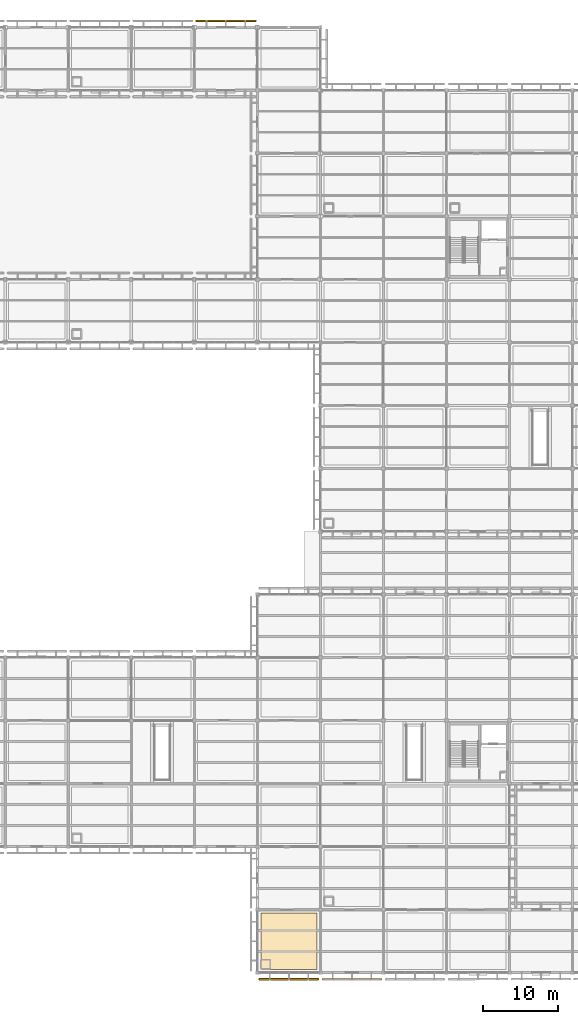
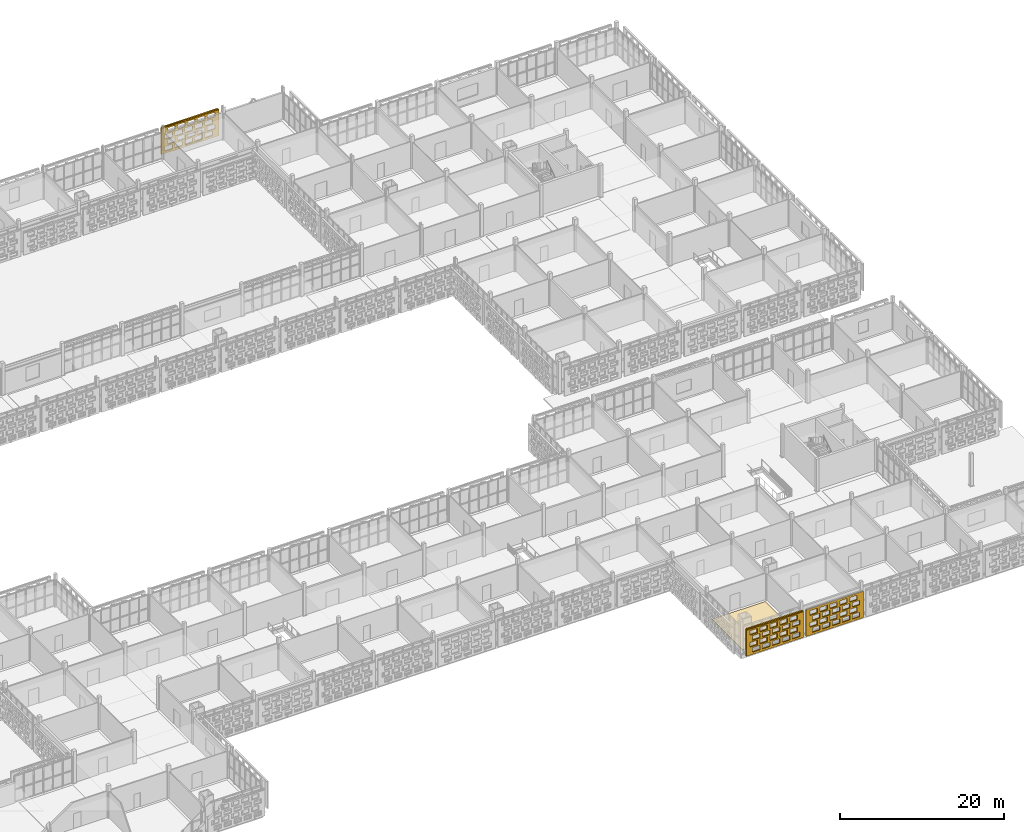
# One storey, part 182 of 203: 4 coverings, 2 shading devices, 60 openings.
"""IFC4 building model written with IfcOpenShell, lengths in metres."""

import ifcopenshell
import ifcopenshell.guid

model = None  # the IFC model being written
_history = None  # IfcOwnerHistory: only IFC2X3 demands one
_inside = {}  # id of a spatial element -> (the spatial element, [elements in it])
_under = {}  # id of a project, library or spatial element -> (it, [spatial elements below it])
_declared = {}  # id of a project -> (the project, [libraries it declares])
_typed = {}  # id of a type object -> (the type object, [elements of that type])
_made_of = {}  # id of a material, layer set ... -> (it, [elements and type objects made of it])


def new_model(schema):
    """Start an empty IFC model of exactly this schema.

    Asked for "IFC4X3", IfcOpenShell would pick the latest addendum, in which some entities
    have other attributes; the version numbers below select the first issue.
    IFC2X3 requires an IfcOwnerHistory on every rooted entity: one is made here for all.
    """
    global model, _history
    if schema == "IFC4X3":
        model = ifcopenshell.file(schema_version=(4, 3, 0, 0))
    else:
        model = ifcopenshell.file(schema=schema)
    _inside.clear()
    _under.clear()
    _declared.clear()
    _typed.clear()
    _made_of.clear()
    _history = None
    if model.schema == "IFC2X3":
        org = make("IfcOrganization", Name="unknown")
        user = make(
            "IfcPersonAndOrganization",
            ThePerson=make("IfcPerson", FamilyName="unknown"),
            TheOrganization=org,
        )
        app = make(
            "IfcApplication",
            ApplicationDeveloper=org,
            Version="unknown",
            ApplicationFullName="unknown",
            ApplicationIdentifier="unknown",
        )
        _history = make(
            "IfcOwnerHistory",
            OwningUser=user,
            OwningApplication=app,
            ChangeAction="ADDED",
            CreationDate=0,
        )
    return model


def make(cls, **values):
    """One entity of the class cls with the attributes given. An attribute that is None is left unset."""
    return model.create_entity(
        cls, **{name: value for name, value in values.items() if value is not None}
    )


def rooted(cls, **values):
    """An entity with a GlobalId (a new one), such as an element, a storey or a relation."""
    return make(cls, GlobalId=ifcopenshell.guid.new(), OwnerHistory=_history, **values)


def si_unit(unit_type, name, prefix=None):
    """IfcSIUnit, for example si_unit("LENGTHUNIT", "METRE", prefix="MILLI")."""
    return make("IfcSIUnit", UnitType=unit_type, Prefix=prefix, Name=name)


def assignment(units):
    """IfcUnitAssignment: the units of a project."""
    return None if units is None else make("IfcUnitAssignment", Units=units)


def point(xyz):
    """IfcCartesianPoint."""
    return None if xyz is None else make("IfcCartesianPoint", Coordinates=xyz)


def direction(xyz):
    """IfcDirection."""
    return None if xyz is None else make("IfcDirection", DirectionRatios=xyz)


def frame(location, z_axis=None, x_axis=None):
    """IfcAxis2Placement3D, a coordinate frame: its origin and axes. An axis left out is left unset."""
    return make(
        "IfcAxis2Placement3D",
        Location=point(location),
        Axis=direction(z_axis),
        RefDirection=direction(x_axis),
    )


def frame_2d(location, x_axis=None):
    """IfcAxis2Placement2D, a coordinate frame in the plane: its origin and x axis."""
    return make(
        "IfcAxis2Placement2D", Location=point(location), RefDirection=direction(x_axis)
    )


def origin():
    """The frame at (0, 0, 0) with its axes left unset."""
    return frame((0.0, 0.0, 0.0))


def origin_2d():
    """The frame at (0, 0) in the plane with its x axis left unset."""
    return frame_2d((0.0, 0.0))


def place(relative_to, where):
    """IfcLocalPlacement: puts the frame where relative to a parent placement (None: the world)."""
    return make(
        "IfcLocalPlacement", PlacementRelTo=relative_to, RelativePlacement=where
    )


def context(
    kind, dimensions, precision=None, world=None, true_north=None, identifier=None
):
    """IfcGeometricRepresentationContext, for example the 3D "Model" context."""
    return make(
        "IfcGeometricRepresentationContext",
        ContextIdentifier=identifier,
        ContextType=kind,
        CoordinateSpaceDimension=dimensions,
        Precision=precision,
        WorldCoordinateSystem=world,
        TrueNorth=true_north,
    )


def subcontext(parent, identifier, kind, view, scale=None):
    """IfcGeometricRepresentationSubContext, for example "Body" below "Model"."""
    return make(
        "IfcGeometricRepresentationSubContext",
        ContextIdentifier=identifier,
        ContextType=kind,
        ParentContext=parent,
        TargetScale=scale,
        TargetView=view,
    )


def project(units=None, contexts=None):
    """IfcProject with its units and contexts."""
    return rooted(
        "IfcProject",
        Name="project",
        RepresentationContexts=contexts,
        UnitsInContext=assignment(units),
    )


def spatial(cls, under=None, at=None, **own):
    """A site, building, storey or space (cls), placed at a placement, below another one or the project."""
    s = rooted(cls, ObjectPlacement=at, **own)
    if under is not None:
        _under.setdefault(under.id(), (under, []))[1].append(s)
    return s


def profile(cls, at=None, kind="AREA", **sizes):
    """A parametric profile (cls). Its sizes go by their IFC names, for example OverallWidth=200.0."""
    return make(cls, ProfileType=kind, Position=at, **sizes)


def rectangle(**sizes):
    """IfcRectangleProfileDef."""
    return profile("IfcRectangleProfileDef", **sizes)


def extrude(swept, where, along, depth):
    """IfcExtrudedAreaSolid: the profile swept, set in the frame where, extruded along a direction by depth."""
    return make(
        "IfcExtrudedAreaSolid",
        SweptArea=swept,
        Position=where,
        ExtrudedDirection=direction(along),
        Depth=depth,
    )


def shape(context_of_items, identifier, shape_type, items):
    """IfcShapeRepresentation: the items that make up one representation, for example the "Body"."""
    return make(
        "IfcShapeRepresentation",
        ContextOfItems=context_of_items,
        RepresentationIdentifier=identifier,
        RepresentationType=shape_type,
        Items=items,
    )


def material(Name=None, Category=None):
    """IfcMaterial."""
    return make("IfcMaterial", Name=Name, Category=Category)


def layer(
    of_material, thickness, ventilated=None, Name=None, Category=None, Priority=None
):
    """IfcMaterialLayer: one layer of a wall or slab, of a material (None: an air gap)."""
    return make(
        "IfcMaterialLayer",
        Material=of_material,
        LayerThickness=thickness,
        IsVentilated=ventilated,
        Name=Name,
        Category=Category,
        Priority=Priority,
    )


def layer_set(layers, Name=None):
    """IfcMaterialLayerSet."""
    return make("IfcMaterialLayerSet", MaterialLayers=layers, LayerSetName=Name)


def made_of(thing, what):
    """Note that an element or type object is made of a material, layer set ...; save() writes the relation."""
    if what is not None:
        _made_of.setdefault(what.id(), (what, []))[1].append(thing)
    return thing


def type_object(cls, material=None, **own):
    """A type object (cls), such as IfcWallType, which elements share."""
    return made_of(rooted(cls, **own), material)


def element(
    cls,
    number,
    at=None,
    inside=None,
    cuts=None,
    type_object=None,
    material=None,
    context=None,
    identifier="Body",
    shape_type=None,
    held_by="IfcProductDefinitionShape",
    body=None,
    shapes=None,
    **own,
):
    """One element of the class cls, such as IfcWall. Its Tag is "e" and its number.

    at: its placement. inside: the storey or other place that contains it. cuts: it is an
    opening in that element (IfcRelVoidsElement). A single representation is given by context,
    identifier, shape_type and body (its items); several are given by shapes. held_by: the class
    of the entity that holds the representations. save() writes the other relations.
    """
    e = rooted(cls, Tag="e%d" % number, ObjectPlacement=at, **own)
    if body is not None:
        shapes = [shape(context, identifier, shape_type, body)]
    if shapes is not None:
        e.Representation = make(held_by, Representations=shapes)
    if inside is not None:
        _inside.setdefault(inside.id(), (inside, []))[1].append(e)
    if cuts is not None:
        rooted(
            "IfcRelVoidsElement", RelatingBuildingElement=cuts, RelatedOpeningElement=e
        )
    if type_object is not None:
        _typed.setdefault(type_object.id(), (type_object, []))[1].append(e)
    return made_of(e, material)


def aggregate(whole, parts):
    """IfcRelAggregates: a whole, such as a stair, and the parts it consists of."""
    return rooted("IfcRelAggregates", RelatingObject=whole, RelatedObjects=parts)


def save(model, path):
    """Write the relations noted so far, then the file.

    IfcRelAggregates (storeys below a building ...), IfcRelContainedInSpatialStructure (elements
    in a storey), IfcRelDefinesByType, IfcRelAssociatesMaterial and IfcRelDeclares: one each for
    every whole, place, type object, material and project.
    """
    for whole, parts in _under.values():
        aggregate(whole, parts)
    for where, things in _inside.values():
        rooted(
            "IfcRelContainedInSpatialStructure",
            RelatedElements=things,
            RelatingStructure=where,
        )
    for kind, things in _typed.values():
        rooted("IfcRelDefinesByType", RelatedObjects=things, RelatingType=kind)
    for what, things in _made_of.values():
        rooted("IfcRelAssociatesMaterial", RelatedObjects=things, RelatingMaterial=what)
    for by, libraries in _declared.values():
        rooted("IfcRelDeclares", RelatingContext=by, RelatedDefinitions=libraries)
    model.write(path)


model = new_model("IFC4")

# Units and contexts
model_context = context("Model", 3, precision=1e-05, world=origin(), true_north=direction((0.0, 1.0)))
body_context = subcontext(model_context, "Body", "Model", "MODEL_VIEW")
ifc_project = project(units=[si_unit("LENGTHUNIT", "METRE"), si_unit("AREAUNIT", "SQUARE_METRE"), si_unit("VOLUMEUNIT", "CUBIC_METRE"), si_unit("PLANEANGLEUNIT", "RADIAN"), si_unit("MASSUNIT", "GRAM", prefix="KILO")], contexts=[model_context])

# Site, building, storey
site_placement = place(None, origin())
site = spatial("IfcSite", under=ifc_project, at=site_placement, CompositionType="ELEMENT")
building_placement = place(site_placement, origin())
building = spatial("IfcBuilding", under=site, at=building_placement, Name="Varnapada Polytechnic", CompositionType="ELEMENT")
storey_placement = place(building_placement, frame((0.0, 0.0, 4.800048828125)))
storey = spatial("IfcBuildingStorey", under=building, at=storey_placement, Name="L01", CompositionType="ELEMENT", Elevation=4.800048828125)

# Covering
ifc_material_1 = material(Name="Acoustic Rubber Seminar Flooring")
ifc_layer_1 = layer(ifc_material_1, 0.0400390625)
ifc_layer_set_1 = layer_set([ifc_layer_1], Name="Acoustic Rubber Seminar Flooring")
covering_type_1 = type_object("IfcCoveringType", Name="Floor Finish FLR-06", PredefinedType="FLOORING", material=ifc_layer_set_1)
covering_1_placement = place(storey_placement, frame((130.199951171875, 4.199951171875, 0.0), z_axis=(0.0, 0.0, 1.0), x_axis=(1.0, 0.0, 0.0)))
element("IfcCovering", 1, at=covering_1_placement, inside=storey, type_object=covering_type_1, Name="L01 floor finish panel (16,1)", PredefinedType="FLOORING", context=body_context, shape_type="SweptSolid", body=[
    extrude(rectangle(XDim=7.5, YDim=7.5, at=origin_2d()), origin(), (0.0, 0.0, 1.0), 0.0400390625),
])

# Covering, openings
ifc_material_2 = material(Name="Earth-toned architectural terracotta screen block", Category="masonry")
ifc_layer_2 = layer(ifc_material_2, 0.1201171875)
ifc_layer_set_2 = layer_set([ifc_layer_2], Name="Earth-toned architectural terracotta screen block")
covering_type_2 = type_object("IfcCoveringType", Name="Terracotta Screen Cladding CLD-01", PredefinedType="CLADDING", material=ifc_layer_set_2)
covering_2_placement = place(storey_placement, frame((117.75, 126.85009765625, 0.0), z_axis=(0.0, 0.0, 1.0), x_axis=(1.0, 0.0, 0.0)))
covering_2 = element("IfcCovering", 2, at=covering_2_placement, inside=storey, type_object=covering_type_2, Name="L01 perforated terracotta block screen (101)", PredefinedType="CLADDING", context=body_context, shape_type="SweptSolid", body=[
    extrude(rectangle(XDim=8.10009765625, YDim=0.179931640625, at=frame_2d((4.050048828125, 0.0))), origin(), (0.0, 0.0, 1.0), 3.919921875),
])
opening_1_placement = place(covering_2_placement, frame((0.550048828125, 0.0, 0.313720703125)))
element("IfcOpeningElement", 3, at=opening_1_placement, cuts=covering_2, Name="Screen perforation TBS-L01-100.1", PredefinedType="OPENING", context=body_context, shape_type="SweptSolid", body=[
    extrude(rectangle(XDim=1.0400390625, YDim=0.679931640625, at=frame_2d((0.52001953125, 0.33984375))), frame((0.0, 0.099853515625, 0.0), z_axis=(0.0, -1.0, 0.0), x_axis=(1.0, 0.0, 0.0)), (0.0, 0.0, 1.0), 0.199951171875),
])
opening_2_placement = place(covering_2_placement, frame((1.949951171875, 0.0, 0.313720703125)))
element("IfcOpeningElement", 4, at=opening_2_placement, cuts=covering_2, Name="Screen perforation TBS-L01-100.2", PredefinedType="OPENING", context=body_context, shape_type="SweptSolid", body=[
    extrude(rectangle(XDim=1.0400390625, YDim=0.679931640625, at=frame_2d((0.52001953125, 0.33984375))), frame((0.0, 0.099853515625, 0.0), z_axis=(0.0, -1.0, 0.0), x_axis=(1.0, 0.0, 0.0)), (0.0, 0.0, 1.0), 0.199951171875),
])
opening_3_placement = place(covering_2_placement, frame((3.35009765625, 0.0, 0.313720703125)))
element("IfcOpeningElement", 5, at=opening_3_placement, cuts=covering_2, Name="Screen perforation TBS-L01-100.3", PredefinedType="OPENING", context=body_context, shape_type="SweptSolid", body=[
    extrude(rectangle(XDim=1.0400390625, YDim=0.679931640625, at=frame_2d((0.52001953125, 0.33984375))), frame((0.0, 0.099853515625, 0.0), z_axis=(0.0, -1.0, 0.0), x_axis=(1.0, 0.0, 0.0)), (0.0, 0.0, 1.0), 0.199951171875),
])
opening_4_placement = place(covering_2_placement, frame((4.75, 0.0, 0.313720703125)))
element("IfcOpeningElement", 6, at=opening_4_placement, cuts=covering_2, Name="Screen perforation TBS-L01-100.4", PredefinedType="OPENING", context=body_context, shape_type="SweptSolid", body=[
    extrude(rectangle(XDim=1.0400390625, YDim=0.679931640625, at=frame_2d((0.52001953125, 0.33984375))), frame((0.0, 0.099853515625, 0.0), z_axis=(0.0, -1.0, 0.0), x_axis=(1.0, 0.0, 0.0)), (0.0, 0.0, 1.0), 0.199951171875),
])
opening_5_placement = place(covering_2_placement, frame((6.14990234375, 0.0, 0.313720703125)))
element("IfcOpeningElement", 7, at=opening_5_placement, cuts=covering_2, Name="Screen perforation TBS-L01-100.5", PredefinedType="OPENING", context=body_context, shape_type="SweptSolid", body=[
    extrude(rectangle(XDim=1.0400390625, YDim=0.679931640625, at=frame_2d((0.52001953125, 0.33984375))), frame((0.0, 0.099853515625, 0.0), z_axis=(0.0, -1.0, 0.0), x_axis=(1.0, 0.0, 0.0)), (0.0, 0.0, 1.0), 0.199951171875),
])
opening_6_placement = place(covering_2_placement, frame((0.909912109375, 0.0, 1.195556640625)))
element("IfcOpeningElement", 8, at=opening_6_placement, cuts=covering_2, Name="Screen perforation TBS-L01-100.6", PredefinedType="OPENING", context=body_context, shape_type="SweptSolid", body=[
    extrude(rectangle(XDim=1.0400390625, YDim=0.679931640625, at=frame_2d((0.52001953125, 0.33984375))), frame((0.0, 0.099853515625, 0.0), z_axis=(0.0, -1.0, 0.0), x_axis=(1.0, 0.0, 0.0)), (0.0, 0.0, 1.0), 0.199951171875),
])
opening_7_placement = place(covering_2_placement, frame((2.31005859375, 0.0, 1.195556640625)))
element("IfcOpeningElement", 9, at=opening_7_placement, cuts=covering_2, Name="Screen perforation TBS-L01-100.7", PredefinedType="OPENING", context=body_context, shape_type="SweptSolid", body=[
    extrude(rectangle(XDim=1.0400390625, YDim=0.679931640625, at=frame_2d((0.52001953125, 0.33984375))), frame((0.0, 0.099853515625, 0.0), z_axis=(0.0, -1.0, 0.0), x_axis=(1.0, 0.0, 0.0)), (0.0, 0.0, 1.0), 0.199951171875),
])
opening_8_placement = place(covering_2_placement, frame((3.7099609375, 0.0, 1.195556640625)))
element("IfcOpeningElement", 10, at=opening_8_placement, cuts=covering_2, Name="Screen perforation TBS-L01-100.8", PredefinedType="OPENING", context=body_context, shape_type="SweptSolid", body=[
    extrude(rectangle(XDim=1.0400390625, YDim=0.679931640625, at=frame_2d((0.52001953125, 0.33984375))), frame((0.0, 0.099853515625, 0.0), z_axis=(0.0, -1.0, 0.0), x_axis=(1.0, 0.0, 0.0)), (0.0, 0.0, 1.0), 0.199951171875),
])
opening_9_placement = place(covering_2_placement, frame((5.110107421875, 0.0, 1.195556640625)))
element("IfcOpeningElement", 11, at=opening_9_placement, cuts=covering_2, Name="Screen perforation TBS-L01-100.9", PredefinedType="OPENING", context=body_context, shape_type="SweptSolid", body=[
    extrude(rectangle(XDim=1.0400390625, YDim=0.679931640625, at=frame_2d((0.52001953125, 0.33984375))), frame((0.0, 0.099853515625, 0.0), z_axis=(0.0, -1.0, 0.0), x_axis=(1.0, 0.0, 0.0)), (0.0, 0.0, 1.0), 0.199951171875),
])
opening_10_placement = place(covering_2_placement, frame((6.510009765625, 0.0, 1.195556640625)))
element("IfcOpeningElement", 12, at=opening_10_placement, cuts=covering_2, Name="Screen perforation TBS-L01-100.10", PredefinedType="OPENING", context=body_context, shape_type="SweptSolid", body=[
    extrude(rectangle(XDim=1.0400390625, YDim=0.679931640625, at=frame_2d((0.52001953125, 0.33984375))), frame((0.0, 0.099853515625, 0.0), z_axis=(0.0, -1.0, 0.0), x_axis=(1.0, 0.0, 0.0)), (0.0, 0.0, 1.0), 0.199951171875),
])
opening_11_placement = place(covering_2_placement, frame((0.550048828125, 0.0, 2.07763671875)))
element("IfcOpeningElement", 13, at=opening_11_placement, cuts=covering_2, Name="Screen perforation TBS-L01-100.11", PredefinedType="OPENING", context=body_context, shape_type="SweptSolid", body=[
    extrude(rectangle(XDim=1.0400390625, YDim=0.679931640625, at=frame_2d((0.52001953125, 0.33984375))), frame((0.0, 0.099853515625, 0.0), z_axis=(0.0, -1.0, 0.0), x_axis=(1.0, 0.0, 0.0)), (0.0, 0.0, 1.0), 0.199951171875),
])
opening_12_placement = place(covering_2_placement, frame((1.949951171875, 0.0, 2.07763671875)))
element("IfcOpeningElement", 14, at=opening_12_placement, cuts=covering_2, Name="Screen perforation TBS-L01-100.12", PredefinedType="OPENING", context=body_context, shape_type="SweptSolid", body=[
    extrude(rectangle(XDim=1.0400390625, YDim=0.679931640625, at=frame_2d((0.52001953125, 0.33984375))), frame((0.0, 0.099853515625, 0.0), z_axis=(0.0, -1.0, 0.0), x_axis=(1.0, 0.0, 0.0)), (0.0, 0.0, 1.0), 0.199951171875),
])
opening_13_placement = place(covering_2_placement, frame((3.35009765625, 0.0, 2.07763671875)))
element("IfcOpeningElement", 15, at=opening_13_placement, cuts=covering_2, Name="Screen perforation TBS-L01-100.13", PredefinedType="OPENING", context=body_context, shape_type="SweptSolid", body=[
    extrude(rectangle(XDim=1.0400390625, YDim=0.679931640625, at=frame_2d((0.52001953125, 0.33984375))), frame((0.0, 0.099853515625, 0.0), z_axis=(0.0, -1.0, 0.0), x_axis=(1.0, 0.0, 0.0)), (0.0, 0.0, 1.0), 0.199951171875),
])
opening_14_placement = place(covering_2_placement, frame((4.75, 0.0, 2.07763671875)))
element("IfcOpeningElement", 16, at=opening_14_placement, cuts=covering_2, Name="Screen perforation TBS-L01-100.14", PredefinedType="OPENING", context=body_context, shape_type="SweptSolid", body=[
    extrude(rectangle(XDim=1.0400390625, YDim=0.679931640625, at=frame_2d((0.52001953125, 0.33984375))), frame((0.0, 0.099853515625, 0.0), z_axis=(0.0, -1.0, 0.0), x_axis=(1.0, 0.0, 0.0)), (0.0, 0.0, 1.0), 0.199951171875),
])
opening_15_placement = place(covering_2_placement, frame((6.14990234375, 0.0, 2.07763671875)))
element("IfcOpeningElement", 17, at=opening_15_placement, cuts=covering_2, Name="Screen perforation TBS-L01-100.15", PredefinedType="OPENING", context=body_context, shape_type="SweptSolid", body=[
    extrude(rectangle(XDim=1.0400390625, YDim=0.679931640625, at=frame_2d((0.52001953125, 0.33984375))), frame((0.0, 0.099853515625, 0.0), z_axis=(0.0, -1.0, 0.0), x_axis=(1.0, 0.0, 0.0)), (0.0, 0.0, 1.0), 0.199951171875),
])
opening_16_placement = place(covering_2_placement, frame((0.909912109375, 0.0, 2.959716796875)))
element("IfcOpeningElement", 18, at=opening_16_placement, cuts=covering_2, Name="Screen perforation TBS-L01-100.16", PredefinedType="OPENING", context=body_context, shape_type="SweptSolid", body=[
    extrude(rectangle(XDim=1.0400390625, YDim=0.679931640625, at=frame_2d((0.52001953125, 0.33984375))), frame((0.0, 0.099853515625, 0.0), z_axis=(0.0, -1.0, 0.0), x_axis=(1.0, 0.0, 0.0)), (0.0, 0.0, 1.0), 0.199951171875),
])
opening_17_placement = place(covering_2_placement, frame((2.31005859375, 0.0, 2.959716796875)))
element("IfcOpeningElement", 19, at=opening_17_placement, cuts=covering_2, Name="Screen perforation TBS-L01-100.17", PredefinedType="OPENING", context=body_context, shape_type="SweptSolid", body=[
    extrude(rectangle(XDim=1.0400390625, YDim=0.679931640625, at=frame_2d((0.52001953125, 0.33984375))), frame((0.0, 0.099853515625, 0.0), z_axis=(0.0, -1.0, 0.0), x_axis=(1.0, 0.0, 0.0)), (0.0, 0.0, 1.0), 0.199951171875),
])
opening_18_placement = place(covering_2_placement, frame((3.7099609375, 0.0, 2.959716796875)))
element("IfcOpeningElement", 20, at=opening_18_placement, cuts=covering_2, Name="Screen perforation TBS-L01-100.18", PredefinedType="OPENING", context=body_context, shape_type="SweptSolid", body=[
    extrude(rectangle(XDim=1.0400390625, YDim=0.679931640625, at=frame_2d((0.52001953125, 0.33984375))), frame((0.0, 0.099853515625, 0.0), z_axis=(0.0, -1.0, 0.0), x_axis=(1.0, 0.0, 0.0)), (0.0, 0.0, 1.0), 0.199951171875),
])
opening_19_placement = place(covering_2_placement, frame((5.110107421875, 0.0, 2.959716796875)))
element("IfcOpeningElement", 21, at=opening_19_placement, cuts=covering_2, Name="Screen perforation TBS-L01-100.19", PredefinedType="OPENING", context=body_context, shape_type="SweptSolid", body=[
    extrude(rectangle(XDim=1.0400390625, YDim=0.679931640625, at=frame_2d((0.52001953125, 0.33984375))), frame((0.0, 0.099853515625, 0.0), z_axis=(0.0, -1.0, 0.0), x_axis=(1.0, 0.0, 0.0)), (0.0, 0.0, 1.0), 0.199951171875),
])
opening_20_placement = place(covering_2_placement, frame((6.510009765625, 0.0, 2.959716796875)))
element("IfcOpeningElement", 22, at=opening_20_placement, cuts=covering_2, Name="Screen perforation TBS-L01-100.20", PredefinedType="OPENING", context=body_context, shape_type="SweptSolid", body=[
    extrude(rectangle(XDim=1.0400390625, YDim=0.679931640625, at=frame_2d((0.52001953125, 0.33984375))), frame((0.0, 0.099853515625, 0.0), z_axis=(0.0, -1.0, 0.0), x_axis=(1.0, 0.0, 0.0)), (0.0, 0.0, 1.0), 0.199951171875),
])

covering_3_placement = place(storey_placement, frame((134.219970703125, -0.85009765625, 0.0), z_axis=(0.0, 0.0, 1.0), x_axis=(-1.0, 0.0, 0.0)))
covering_3 = element("IfcCovering", 23, at=covering_3_placement, inside=storey, type_object=covering_type_2, Name="L01 perforated terracotta block screen (102)", PredefinedType="CLADDING", context=body_context, shape_type="SweptSolid", body=[
    extrude(rectangle(XDim=8.0400390625, YDim=0.179931640625, at=frame_2d((4.02001953125, 0.0))), origin(), (0.0, 0.0, 1.0), 3.919921875),
])
opening_21_placement = place(covering_3_placement, frame((0.52001953125, 0.0, 0.313720703125)))
element("IfcOpeningElement", 24, at=opening_21_placement, cuts=covering_3, Name="Screen perforation TBS-L01-101.1", PredefinedType="OPENING", context=body_context, shape_type="SweptSolid", body=[
    extrude(rectangle(XDim=1.0400390625, YDim=0.679931640625, at=frame_2d((0.52001953125, 0.33984375))), frame((0.0, 0.099853515625, 0.0), z_axis=(0.0, -1.0, 0.0), x_axis=(1.0, 0.0, 0.0)), (0.0, 0.0, 1.0), 0.199951171875),
])
opening_22_placement = place(covering_3_placement, frame((1.919921875, 0.0, 0.313720703125)))
element("IfcOpeningElement", 25, at=opening_22_placement, cuts=covering_3, Name="Screen perforation TBS-L01-101.2", PredefinedType="OPENING", context=body_context, shape_type="SweptSolid", body=[
    extrude(rectangle(XDim=1.0400390625, YDim=0.679931640625, at=frame_2d((0.52001953125, 0.33984375))), frame((0.0, 0.099853515625, 0.0), z_axis=(0.0, -1.0, 0.0), x_axis=(1.0, 0.0, 0.0)), (0.0, 0.0, 1.0), 0.199951171875),
])
opening_23_placement = place(covering_3_placement, frame((3.320068359375, 0.0, 0.313720703125)))
element("IfcOpeningElement", 26, at=opening_23_placement, cuts=covering_3, Name="Screen perforation TBS-L01-101.3", PredefinedType="OPENING", context=body_context, shape_type="SweptSolid", body=[
    extrude(rectangle(XDim=1.0400390625, YDim=0.679931640625, at=frame_2d((0.52001953125, 0.33984375))), frame((0.0, 0.099853515625, 0.0), z_axis=(0.0, -1.0, 0.0), x_axis=(1.0, 0.0, 0.0)), (0.0, 0.0, 1.0), 0.199951171875),
])
opening_24_placement = place(covering_3_placement, frame((4.719970703125, 0.0, 0.313720703125)))
element("IfcOpeningElement", 27, at=opening_24_placement, cuts=covering_3, Name="Screen perforation TBS-L01-101.4", PredefinedType="OPENING", context=body_context, shape_type="SweptSolid", body=[
    extrude(rectangle(XDim=1.0400390625, YDim=0.679931640625, at=frame_2d((0.52001953125, 0.33984375))), frame((0.0, 0.099853515625, 0.0), z_axis=(0.0, -1.0, 0.0), x_axis=(1.0, 0.0, 0.0)), (0.0, 0.0, 1.0), 0.199951171875),
])
opening_25_placement = place(covering_3_placement, frame((6.1201171875, 0.0, 0.313720703125)))
element("IfcOpeningElement", 28, at=opening_25_placement, cuts=covering_3, Name="Screen perforation TBS-L01-101.5", PredefinedType="OPENING", context=body_context, shape_type="SweptSolid", body=[
    extrude(rectangle(XDim=1.0400390625, YDim=0.679931640625, at=frame_2d((0.52001953125, 0.33984375))), frame((0.0, 0.099853515625, 0.0), z_axis=(0.0, -1.0, 0.0), x_axis=(1.0, 0.0, 0.0)), (0.0, 0.0, 1.0), 0.199951171875),
])
opening_26_placement = place(covering_3_placement, frame((0.8798828125, 0.0, 1.195556640625)))
element("IfcOpeningElement", 29, at=opening_26_placement, cuts=covering_3, Name="Screen perforation TBS-L01-101.6", PredefinedType="OPENING", context=body_context, shape_type="SweptSolid", body=[
    extrude(rectangle(XDim=1.0400390625, YDim=0.679931640625, at=frame_2d((0.52001953125, 0.33984375))), frame((0.0, 0.099853515625, 0.0), z_axis=(0.0, -1.0, 0.0), x_axis=(1.0, 0.0, 0.0)), (0.0, 0.0, 1.0), 0.199951171875),
])
opening_27_placement = place(covering_3_placement, frame((2.280029296875, 0.0, 1.195556640625)))
element("IfcOpeningElement", 30, at=opening_27_placement, cuts=covering_3, Name="Screen perforation TBS-L01-101.7", PredefinedType="OPENING", context=body_context, shape_type="SweptSolid", body=[
    extrude(rectangle(XDim=1.0400390625, YDim=0.679931640625, at=frame_2d((0.52001953125, 0.33984375))), frame((0.0, 0.099853515625, 0.0), z_axis=(0.0, -1.0, 0.0), x_axis=(1.0, 0.0, 0.0)), (0.0, 0.0, 1.0), 0.199951171875),
])
opening_28_placement = place(covering_3_placement, frame((3.679931640625, 0.0, 1.195556640625)))
element("IfcOpeningElement", 31, at=opening_28_placement, cuts=covering_3, Name="Screen perforation TBS-L01-101.8", PredefinedType="OPENING", context=body_context, shape_type="SweptSolid", body=[
    extrude(rectangle(XDim=1.0400390625, YDim=0.679931640625, at=frame_2d((0.52001953125, 0.33984375))), frame((0.0, 0.099853515625, 0.0), z_axis=(0.0, -1.0, 0.0), x_axis=(1.0, 0.0, 0.0)), (0.0, 0.0, 1.0), 0.199951171875),
])
opening_29_placement = place(covering_3_placement, frame((5.080078125, 0.0, 1.195556640625)))
element("IfcOpeningElement", 32, at=opening_29_placement, cuts=covering_3, Name="Screen perforation TBS-L01-101.9", PredefinedType="OPENING", context=body_context, shape_type="SweptSolid", body=[
    extrude(rectangle(XDim=1.0400390625, YDim=0.679931640625, at=frame_2d((0.52001953125, 0.33984375))), frame((0.0, 0.099853515625, 0.0), z_axis=(0.0, -1.0, 0.0), x_axis=(1.0, 0.0, 0.0)), (0.0, 0.0, 1.0), 0.199951171875),
])
opening_30_placement = place(covering_3_placement, frame((6.47998046875, 0.0, 1.195556640625)))
element("IfcOpeningElement", 33, at=opening_30_placement, cuts=covering_3, Name="Screen perforation TBS-L01-101.10", PredefinedType="OPENING", context=body_context, shape_type="SweptSolid", body=[
    extrude(rectangle(XDim=1.0400390625, YDim=0.679931640625, at=frame_2d((0.52001953125, 0.33984375))), frame((0.0, 0.099853515625, 0.0), z_axis=(0.0, -1.0, 0.0), x_axis=(1.0, 0.0, 0.0)), (0.0, 0.0, 1.0), 0.199951171875),
])
opening_31_placement = place(covering_3_placement, frame((0.52001953125, 0.0, 2.07763671875)))
element("IfcOpeningElement", 34, at=opening_31_placement, cuts=covering_3, Name="Screen perforation TBS-L01-101.11", PredefinedType="OPENING", context=body_context, shape_type="SweptSolid", body=[
    extrude(rectangle(XDim=1.0400390625, YDim=0.679931640625, at=frame_2d((0.52001953125, 0.33984375))), frame((0.0, 0.099853515625, 0.0), z_axis=(0.0, -1.0, 0.0), x_axis=(1.0, 0.0, 0.0)), (0.0, 0.0, 1.0), 0.199951171875),
])
opening_32_placement = place(covering_3_placement, frame((1.919921875, 0.0, 2.07763671875)))
element("IfcOpeningElement", 35, at=opening_32_placement, cuts=covering_3, Name="Screen perforation TBS-L01-101.12", PredefinedType="OPENING", context=body_context, shape_type="SweptSolid", body=[
    extrude(rectangle(XDim=1.0400390625, YDim=0.679931640625, at=frame_2d((0.52001953125, 0.33984375))), frame((0.0, 0.099853515625, 0.0), z_axis=(0.0, -1.0, 0.0), x_axis=(1.0, 0.0, 0.0)), (0.0, 0.0, 1.0), 0.199951171875),
])
opening_33_placement = place(covering_3_placement, frame((3.320068359375, 0.0, 2.07763671875)))
element("IfcOpeningElement", 36, at=opening_33_placement, cuts=covering_3, Name="Screen perforation TBS-L01-101.13", PredefinedType="OPENING", context=body_context, shape_type="SweptSolid", body=[
    extrude(rectangle(XDim=1.0400390625, YDim=0.679931640625, at=frame_2d((0.52001953125, 0.33984375))), frame((0.0, 0.099853515625, 0.0), z_axis=(0.0, -1.0, 0.0), x_axis=(1.0, 0.0, 0.0)), (0.0, 0.0, 1.0), 0.199951171875),
])
opening_34_placement = place(covering_3_placement, frame((4.719970703125, 0.0, 2.07763671875)))
element("IfcOpeningElement", 37, at=opening_34_placement, cuts=covering_3, Name="Screen perforation TBS-L01-101.14", PredefinedType="OPENING", context=body_context, shape_type="SweptSolid", body=[
    extrude(rectangle(XDim=1.0400390625, YDim=0.679931640625, at=frame_2d((0.52001953125, 0.33984375))), frame((0.0, 0.099853515625, 0.0), z_axis=(0.0, -1.0, 0.0), x_axis=(1.0, 0.0, 0.0)), (0.0, 0.0, 1.0), 0.199951171875),
])
opening_35_placement = place(covering_3_placement, frame((6.1201171875, 0.0, 2.07763671875)))
element("IfcOpeningElement", 38, at=opening_35_placement, cuts=covering_3, Name="Screen perforation TBS-L01-101.15", PredefinedType="OPENING", context=body_context, shape_type="SweptSolid", body=[
    extrude(rectangle(XDim=1.0400390625, YDim=0.679931640625, at=frame_2d((0.52001953125, 0.33984375))), frame((0.0, 0.099853515625, 0.0), z_axis=(0.0, -1.0, 0.0), x_axis=(1.0, 0.0, 0.0)), (0.0, 0.0, 1.0), 0.199951171875),
])
opening_36_placement = place(covering_3_placement, frame((0.8798828125, 0.0, 2.959716796875)))
element("IfcOpeningElement", 39, at=opening_36_placement, cuts=covering_3, Name="Screen perforation TBS-L01-101.16", PredefinedType="OPENING", context=body_context, shape_type="SweptSolid", body=[
    extrude(rectangle(XDim=1.0400390625, YDim=0.679931640625, at=frame_2d((0.52001953125, 0.33984375))), frame((0.0, 0.099853515625, 0.0), z_axis=(0.0, -1.0, 0.0), x_axis=(1.0, 0.0, 0.0)), (0.0, 0.0, 1.0), 0.199951171875),
])
opening_37_placement = place(covering_3_placement, frame((2.280029296875, 0.0, 2.959716796875)))
element("IfcOpeningElement", 40, at=opening_37_placement, cuts=covering_3, Name="Screen perforation TBS-L01-101.17", PredefinedType="OPENING", context=body_context, shape_type="SweptSolid", body=[
    extrude(rectangle(XDim=1.0400390625, YDim=0.679931640625, at=frame_2d((0.52001953125, 0.33984375))), frame((0.0, 0.099853515625, 0.0), z_axis=(0.0, -1.0, 0.0), x_axis=(1.0, 0.0, 0.0)), (0.0, 0.0, 1.0), 0.199951171875),
])
opening_38_placement = place(covering_3_placement, frame((3.679931640625, 0.0, 2.959716796875)))
element("IfcOpeningElement", 41, at=opening_38_placement, cuts=covering_3, Name="Screen perforation TBS-L01-101.18", PredefinedType="OPENING", context=body_context, shape_type="SweptSolid", body=[
    extrude(rectangle(XDim=1.0400390625, YDim=0.679931640625, at=frame_2d((0.52001953125, 0.33984375))), frame((0.0, 0.099853515625, 0.0), z_axis=(0.0, -1.0, 0.0), x_axis=(1.0, 0.0, 0.0)), (0.0, 0.0, 1.0), 0.199951171875),
])
opening_39_placement = place(covering_3_placement, frame((5.080078125, 0.0, 2.959716796875)))
element("IfcOpeningElement", 42, at=opening_39_placement, cuts=covering_3, Name="Screen perforation TBS-L01-101.19", PredefinedType="OPENING", context=body_context, shape_type="SweptSolid", body=[
    extrude(rectangle(XDim=1.0400390625, YDim=0.679931640625, at=frame_2d((0.52001953125, 0.33984375))), frame((0.0, 0.099853515625, 0.0), z_axis=(0.0, -1.0, 0.0), x_axis=(1.0, 0.0, 0.0)), (0.0, 0.0, 1.0), 0.199951171875),
])
opening_40_placement = place(covering_3_placement, frame((6.47998046875, 0.0, 2.959716796875)))
element("IfcOpeningElement", 43, at=opening_40_placement, cuts=covering_3, Name="Screen perforation TBS-L01-101.20", PredefinedType="OPENING", context=body_context, shape_type="SweptSolid", body=[
    extrude(rectangle(XDim=1.0400390625, YDim=0.679931640625, at=frame_2d((0.52001953125, 0.33984375))), frame((0.0, 0.099853515625, 0.0), z_axis=(0.0, -1.0, 0.0), x_axis=(1.0, 0.0, 0.0)), (0.0, 0.0, 1.0), 0.199951171875),
])

covering_4_placement = place(storey_placement, frame((142.6201171875, -0.85009765625, 0.0), z_axis=(0.0, 0.0, 1.0), x_axis=(-1.0, 0.0, 0.0)))
covering_4 = element("IfcCovering", 44, at=covering_4_placement, inside=storey, type_object=covering_type_2, Name="L01 perforated terracotta block screen (113)", PredefinedType="CLADDING", context=body_context, shape_type="SweptSolid", body=[
    extrude(rectangle(XDim=8.0400390625, YDim=0.179931640625, at=frame_2d((4.02001953125, 0.0))), origin(), (0.0, 0.0, 1.0), 3.919921875),
])
opening_41_placement = place(covering_4_placement, frame((0.52001953125, 0.0, 0.313720703125)))
element("IfcOpeningElement", 45, at=opening_41_placement, cuts=covering_4, Name="Screen perforation TBS-L01-112.1", PredefinedType="OPENING", context=body_context, shape_type="SweptSolid", body=[
    extrude(rectangle(XDim=1.0400390625, YDim=0.679931640625, at=frame_2d((0.52001953125, 0.33984375))), frame((0.0, 0.099853515625, 0.0), z_axis=(0.0, -1.0, 0.0), x_axis=(1.0, 0.0, 0.0)), (0.0, 0.0, 1.0), 0.199951171875),
])
opening_42_placement = place(covering_4_placement, frame((1.919921875, 0.0, 0.313720703125)))
element("IfcOpeningElement", 46, at=opening_42_placement, cuts=covering_4, Name="Screen perforation TBS-L01-112.2", PredefinedType="OPENING", context=body_context, shape_type="SweptSolid", body=[
    extrude(rectangle(XDim=1.0400390625, YDim=0.679931640625, at=frame_2d((0.52001953125, 0.33984375))), frame((0.0, 0.099853515625, 0.0), z_axis=(0.0, -1.0, 0.0), x_axis=(1.0, 0.0, 0.0)), (0.0, 0.0, 1.0), 0.199951171875),
])
opening_43_placement = place(covering_4_placement, frame((3.320068359375, 0.0, 0.313720703125)))
element("IfcOpeningElement", 47, at=opening_43_placement, cuts=covering_4, Name="Screen perforation TBS-L01-112.3", PredefinedType="OPENING", context=body_context, shape_type="SweptSolid", body=[
    extrude(rectangle(XDim=1.0400390625, YDim=0.679931640625, at=frame_2d((0.52001953125, 0.33984375))), frame((0.0, 0.099853515625, 0.0), z_axis=(0.0, -1.0, 0.0), x_axis=(1.0, 0.0, 0.0)), (0.0, 0.0, 1.0), 0.199951171875),
])
opening_44_placement = place(covering_4_placement, frame((4.719970703125, 0.0, 0.313720703125)))
element("IfcOpeningElement", 48, at=opening_44_placement, cuts=covering_4, Name="Screen perforation TBS-L01-112.4", PredefinedType="OPENING", context=body_context, shape_type="SweptSolid", body=[
    extrude(rectangle(XDim=1.0400390625, YDim=0.679931640625, at=frame_2d((0.52001953125, 0.33984375))), frame((0.0, 0.099853515625, 0.0), z_axis=(0.0, -1.0, 0.0), x_axis=(1.0, 0.0, 0.0)), (0.0, 0.0, 1.0), 0.199951171875),
])
opening_45_placement = place(covering_4_placement, frame((6.1201171875, 0.0, 0.313720703125)))
element("IfcOpeningElement", 49, at=opening_45_placement, cuts=covering_4, Name="Screen perforation TBS-L01-112.5", PredefinedType="OPENING", context=body_context, shape_type="SweptSolid", body=[
    extrude(rectangle(XDim=1.0400390625, YDim=0.679931640625, at=frame_2d((0.52001953125, 0.33984375))), frame((0.0, 0.099853515625, 0.0), z_axis=(0.0, -1.0, 0.0), x_axis=(1.0, 0.0, 0.0)), (0.0, 0.0, 1.0), 0.199951171875),
])
opening_46_placement = place(covering_4_placement, frame((0.8798828125, 0.0, 1.195556640625)))
element("IfcOpeningElement", 50, at=opening_46_placement, cuts=covering_4, Name="Screen perforation TBS-L01-112.6", PredefinedType="OPENING", context=body_context, shape_type="SweptSolid", body=[
    extrude(rectangle(XDim=1.0400390625, YDim=0.679931640625, at=frame_2d((0.52001953125, 0.33984375))), frame((0.0, 0.099853515625, 0.0), z_axis=(0.0, -1.0, 0.0), x_axis=(1.0, 0.0, 0.0)), (0.0, 0.0, 1.0), 0.199951171875),
])
opening_47_placement = place(covering_4_placement, frame((2.280029296875, 0.0, 1.195556640625)))
element("IfcOpeningElement", 51, at=opening_47_placement, cuts=covering_4, Name="Screen perforation TBS-L01-112.7", PredefinedType="OPENING", context=body_context, shape_type="SweptSolid", body=[
    extrude(rectangle(XDim=1.0400390625, YDim=0.679931640625, at=frame_2d((0.52001953125, 0.33984375))), frame((0.0, 0.099853515625, 0.0), z_axis=(0.0, -1.0, 0.0), x_axis=(1.0, 0.0, 0.0)), (0.0, 0.0, 1.0), 0.199951171875),
])
opening_48_placement = place(covering_4_placement, frame((3.679931640625, 0.0, 1.195556640625)))
element("IfcOpeningElement", 52, at=opening_48_placement, cuts=covering_4, Name="Screen perforation TBS-L01-112.8", PredefinedType="OPENING", context=body_context, shape_type="SweptSolid", body=[
    extrude(rectangle(XDim=1.0400390625, YDim=0.679931640625, at=frame_2d((0.52001953125, 0.33984375))), frame((0.0, 0.099853515625, 0.0), z_axis=(0.0, -1.0, 0.0), x_axis=(1.0, 0.0, 0.0)), (0.0, 0.0, 1.0), 0.199951171875),
])
opening_49_placement = place(covering_4_placement, frame((5.080078125, 0.0, 1.195556640625)))
element("IfcOpeningElement", 53, at=opening_49_placement, cuts=covering_4, Name="Screen perforation TBS-L01-112.9", PredefinedType="OPENING", context=body_context, shape_type="SweptSolid", body=[
    extrude(rectangle(XDim=1.0400390625, YDim=0.679931640625, at=frame_2d((0.52001953125, 0.33984375))), frame((0.0, 0.099853515625, 0.0), z_axis=(0.0, -1.0, 0.0), x_axis=(1.0, 0.0, 0.0)), (0.0, 0.0, 1.0), 0.199951171875),
])
opening_50_placement = place(covering_4_placement, frame((6.47998046875, 0.0, 1.195556640625)))
element("IfcOpeningElement", 54, at=opening_50_placement, cuts=covering_4, Name="Screen perforation TBS-L01-112.10", PredefinedType="OPENING", context=body_context, shape_type="SweptSolid", body=[
    extrude(rectangle(XDim=1.0400390625, YDim=0.679931640625, at=frame_2d((0.52001953125, 0.33984375))), frame((0.0, 0.099853515625, 0.0), z_axis=(0.0, -1.0, 0.0), x_axis=(1.0, 0.0, 0.0)), (0.0, 0.0, 1.0), 0.199951171875),
])
opening_51_placement = place(covering_4_placement, frame((0.52001953125, 0.0, 2.07763671875)))
element("IfcOpeningElement", 55, at=opening_51_placement, cuts=covering_4, Name="Screen perforation TBS-L01-112.11", PredefinedType="OPENING", context=body_context, shape_type="SweptSolid", body=[
    extrude(rectangle(XDim=1.0400390625, YDim=0.679931640625, at=frame_2d((0.52001953125, 0.33984375))), frame((0.0, 0.099853515625, 0.0), z_axis=(0.0, -1.0, 0.0), x_axis=(1.0, 0.0, 0.0)), (0.0, 0.0, 1.0), 0.199951171875),
])
opening_52_placement = place(covering_4_placement, frame((1.919921875, 0.0, 2.07763671875)))
element("IfcOpeningElement", 56, at=opening_52_placement, cuts=covering_4, Name="Screen perforation TBS-L01-112.12", PredefinedType="OPENING", context=body_context, shape_type="SweptSolid", body=[
    extrude(rectangle(XDim=1.0400390625, YDim=0.679931640625, at=frame_2d((0.52001953125, 0.33984375))), frame((0.0, 0.099853515625, 0.0), z_axis=(0.0, -1.0, 0.0), x_axis=(1.0, 0.0, 0.0)), (0.0, 0.0, 1.0), 0.199951171875),
])
opening_53_placement = place(covering_4_placement, frame((3.320068359375, 0.0, 2.07763671875)))
element("IfcOpeningElement", 57, at=opening_53_placement, cuts=covering_4, Name="Screen perforation TBS-L01-112.13", PredefinedType="OPENING", context=body_context, shape_type="SweptSolid", body=[
    extrude(rectangle(XDim=1.0400390625, YDim=0.679931640625, at=frame_2d((0.52001953125, 0.33984375))), frame((0.0, 0.099853515625, 0.0), z_axis=(0.0, -1.0, 0.0), x_axis=(1.0, 0.0, 0.0)), (0.0, 0.0, 1.0), 0.199951171875),
])
opening_54_placement = place(covering_4_placement, frame((4.719970703125, 0.0, 2.07763671875)))
element("IfcOpeningElement", 58, at=opening_54_placement, cuts=covering_4, Name="Screen perforation TBS-L01-112.14", PredefinedType="OPENING", context=body_context, shape_type="SweptSolid", body=[
    extrude(rectangle(XDim=1.0400390625, YDim=0.679931640625, at=frame_2d((0.52001953125, 0.33984375))), frame((0.0, 0.099853515625, 0.0), z_axis=(0.0, -1.0, 0.0), x_axis=(1.0, 0.0, 0.0)), (0.0, 0.0, 1.0), 0.199951171875),
])
opening_55_placement = place(covering_4_placement, frame((6.1201171875, 0.0, 2.07763671875)))
element("IfcOpeningElement", 59, at=opening_55_placement, cuts=covering_4, Name="Screen perforation TBS-L01-112.15", PredefinedType="OPENING", context=body_context, shape_type="SweptSolid", body=[
    extrude(rectangle(XDim=1.0400390625, YDim=0.679931640625, at=frame_2d((0.52001953125, 0.33984375))), frame((0.0, 0.099853515625, 0.0), z_axis=(0.0, -1.0, 0.0), x_axis=(1.0, 0.0, 0.0)), (0.0, 0.0, 1.0), 0.199951171875),
])
opening_56_placement = place(covering_4_placement, frame((0.8798828125, 0.0, 2.959716796875)))
element("IfcOpeningElement", 60, at=opening_56_placement, cuts=covering_4, Name="Screen perforation TBS-L01-112.16", PredefinedType="OPENING", context=body_context, shape_type="SweptSolid", body=[
    extrude(rectangle(XDim=1.0400390625, YDim=0.679931640625, at=frame_2d((0.52001953125, 0.33984375))), frame((0.0, 0.099853515625, 0.0), z_axis=(0.0, -1.0, 0.0), x_axis=(1.0, 0.0, 0.0)), (0.0, 0.0, 1.0), 0.199951171875),
])
opening_57_placement = place(covering_4_placement, frame((2.280029296875, 0.0, 2.959716796875)))
element("IfcOpeningElement", 61, at=opening_57_placement, cuts=covering_4, Name="Screen perforation TBS-L01-112.17", PredefinedType="OPENING", context=body_context, shape_type="SweptSolid", body=[
    extrude(rectangle(XDim=1.0400390625, YDim=0.679931640625, at=frame_2d((0.52001953125, 0.33984375))), frame((0.0, 0.099853515625, 0.0), z_axis=(0.0, -1.0, 0.0), x_axis=(1.0, 0.0, 0.0)), (0.0, 0.0, 1.0), 0.199951171875),
])
opening_58_placement = place(covering_4_placement, frame((3.679931640625, 0.0, 2.959716796875)))
element("IfcOpeningElement", 62, at=opening_58_placement, cuts=covering_4, Name="Screen perforation TBS-L01-112.18", PredefinedType="OPENING", context=body_context, shape_type="SweptSolid", body=[
    extrude(rectangle(XDim=1.0400390625, YDim=0.679931640625, at=frame_2d((0.52001953125, 0.33984375))), frame((0.0, 0.099853515625, 0.0), z_axis=(0.0, -1.0, 0.0), x_axis=(1.0, 0.0, 0.0)), (0.0, 0.0, 1.0), 0.199951171875),
])
opening_59_placement = place(covering_4_placement, frame((5.080078125, 0.0, 2.959716796875)))
element("IfcOpeningElement", 63, at=opening_59_placement, cuts=covering_4, Name="Screen perforation TBS-L01-112.19", PredefinedType="OPENING", context=body_context, shape_type="SweptSolid", body=[
    extrude(rectangle(XDim=1.0400390625, YDim=0.679931640625, at=frame_2d((0.52001953125, 0.33984375))), frame((0.0, 0.099853515625, 0.0), z_axis=(0.0, -1.0, 0.0), x_axis=(1.0, 0.0, 0.0)), (0.0, 0.0, 1.0), 0.199951171875),
])
opening_60_placement = place(covering_4_placement, frame((6.47998046875, 0.0, 2.959716796875)))
element("IfcOpeningElement", 64, at=opening_60_placement, cuts=covering_4, Name="Screen perforation TBS-L01-112.20", PredefinedType="OPENING", context=body_context, shape_type="SweptSolid", body=[
    extrude(rectangle(XDim=1.0400390625, YDim=0.679931640625, at=frame_2d((0.52001953125, 0.33984375))), frame((0.0, 0.099853515625, 0.0), z_axis=(0.0, -1.0, 0.0), x_axis=(1.0, 0.0, 0.0)), (0.0, 0.0, 1.0), 0.199951171875),
])

# Shading devices
ifc_layer_3 = layer(ifc_material_2, 0.179931640625)
ifc_layer_set_3 = layer_set([ifc_layer_3], Name="Earth-toned architectural terracotta screen block")
shading_device_type = type_object("IfcShadingDeviceType", Name="Terracotta Screen SCR-02", PredefinedType="USERDEFINED", material=ifc_layer_set_3)
shading_device_1_placement = place(storey_placement, frame((121.800048828125, 126.85009765625, 3.909912109375), z_axis=(0.0, 0.0, 1.0), x_axis=(1.0, 0.0, 0.0)))
element("IfcShadingDevice", 65, at=shading_device_1_placement, inside=storey, type_object=shading_device_type, Name="L01 perforated terracotta screen hood 180", ObjectType="SCREEN", PredefinedType="USERDEFINED", context=body_context, shape_type="SweptSolid", body=[
    extrude(rectangle(XDim=7.89990234375, YDim=0.239990234375, at=origin_2d()), origin(), (0.0, 0.0, 1.0), 0.10009765625),
])
shading_device_2_placement = place(storey_placement, frame((130.199951171875, -0.85009765625, 3.909912109375), z_axis=(0.0, 0.0, 1.0), x_axis=(-1.0, 0.0, 0.0)))
element("IfcShadingDevice", 66, at=shading_device_2_placement, inside=storey, type_object=shading_device_type, Name="L01 perforated terracotta screen hood 181", ObjectType="SCREEN", PredefinedType="USERDEFINED", context=body_context, shape_type="SweptSolid", body=[
    extrude(rectangle(XDim=7.840087890625, YDim=0.239990234375, at=origin_2d()), origin(), (0.0, 0.0, 1.0), 0.10009765625),
])

save(model, "model.ifc")
